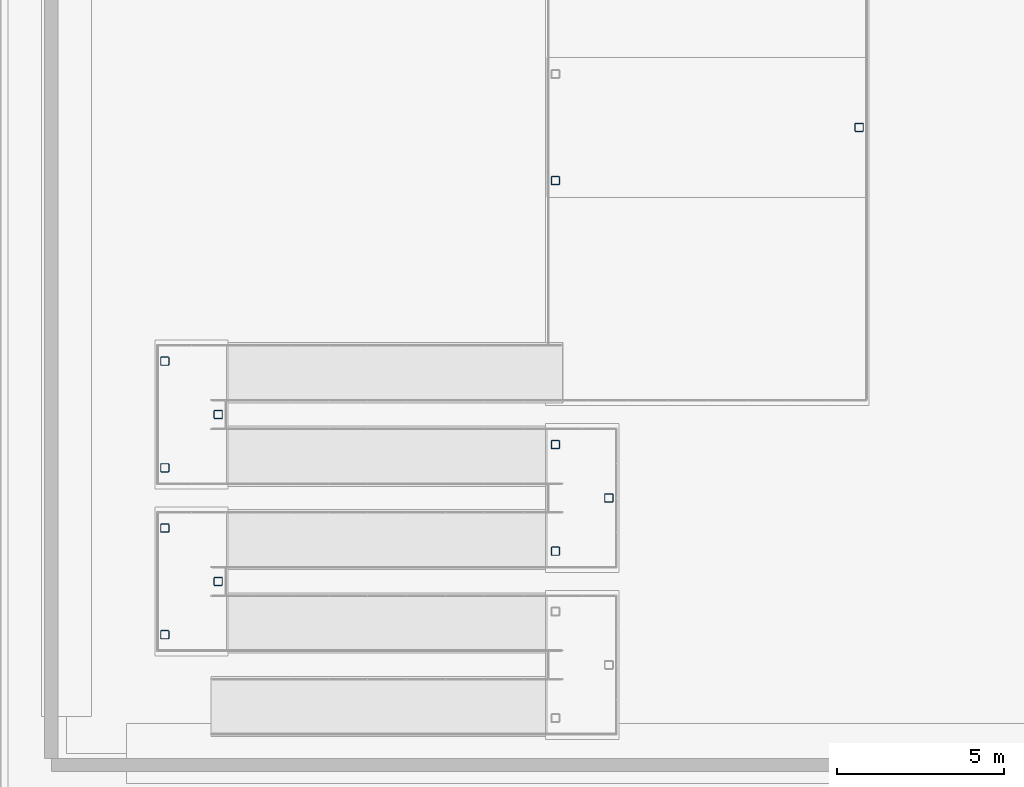
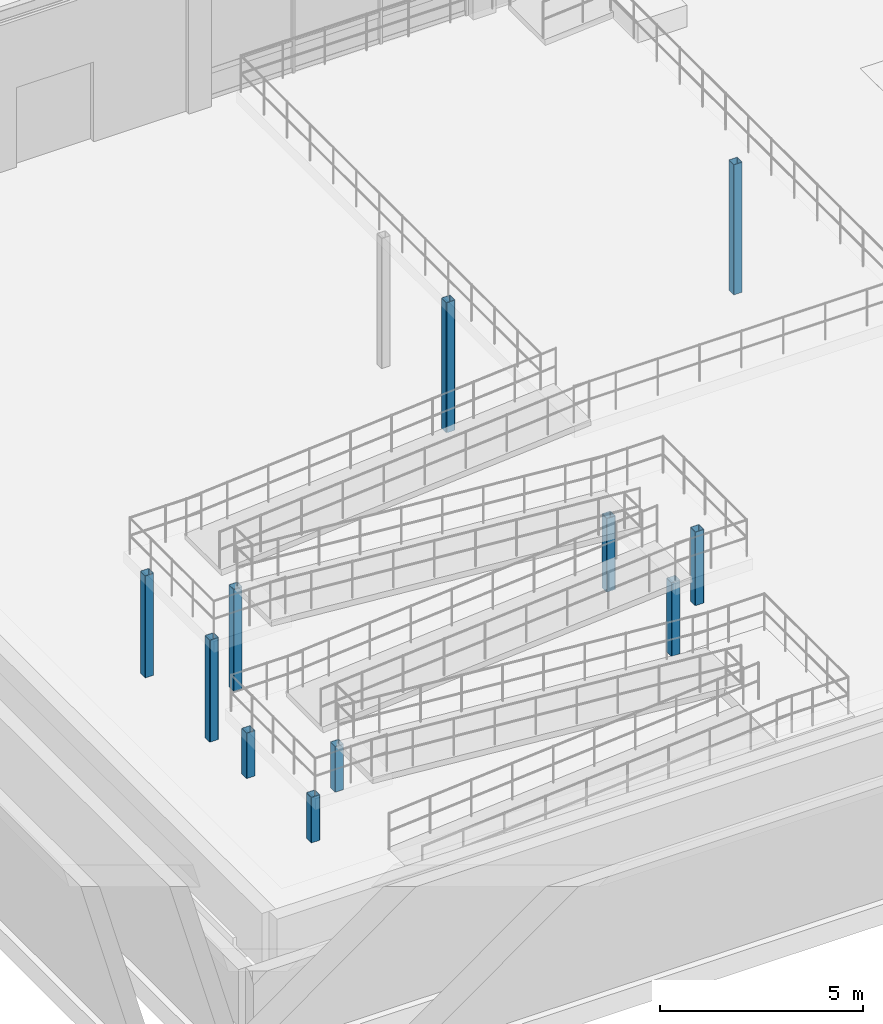
# One storey, part 11 of 67: 11 columns.
"""IFC4 building model written with IfcOpenShell, lengths in metres."""

from ifc_helpers import new_model, si_unit, direction, frame, origin, origin_2d, place, context, subcontext, project, spatial, hollow_rectangle, extrude, material, material_profile, profile_set, type_object, element, save


model = new_model("IFC4")

# Units and contexts
model_context = context("Model", 3, precision=1e-05, world=origin(), true_north=direction((0.0, 1.0)))
body_context = subcontext(model_context, "Body", "Model", "MODEL_VIEW")
ifc_project = project(units=[si_unit("LENGTHUNIT", "METRE"), si_unit("AREAUNIT", "SQUARE_METRE"), si_unit("VOLUMEUNIT", "CUBIC_METRE"), si_unit("PLANEANGLEUNIT", "RADIAN"), si_unit("MASSUNIT", "GRAM", prefix="KILO")], contexts=[model_context])

# Site, building, storey
site_placement = place(None, origin())
site = spatial("IfcSite", under=ifc_project, at=site_placement, CompositionType="ELEMENT")
building_placement = place(site_placement, origin())
building = spatial("IfcBuilding", under=site, at=building_placement, Name="Vaudrelin Polytechnic", CompositionType="ELEMENT")
storey_placement = place(building_placement, frame((0.0, 0.0, -5.10009765625)))
storey = spatial("IfcBuildingStorey", under=building, at=storey_placement, Name="B1", CompositionType="ELEMENT", Elevation=-5.10009765625)

# Columns
ifc_material = material(Name="Steel CSA G40.21 350W", Category="steel")
ifc_material_profile = material_profile(ifc_material, hollow_rectangle(XDim=0.25390625, YDim=0.25390625, WallThickness=0.0126953125, InnerFilletRadius=0.0126953125, OuterFilletRadius=0.025390625, at=origin_2d()), Name="HSS254x254x12.7")
ifc_profile_set = profile_set([ifc_material_profile], Name="Steel CSA G40.21 350W")
column_type = type_object("IfcColumnType", Name="COL-C-HSS254", PredefinedType="COLUMN", material=ifc_profile_set)
for number, where, z_axis, x_axis, name in (
    (1, (2.949951171875, 3.553955078125, 0.0), (0.0, 0.0, 1.0), (1.0, 0.0, 0.0), "Forecourt ramp support pier 2.1"),
    (2, (4.550048828125, 5.14990234375, 0.0), (0.0, 0.0, 1.0), (1.0, 0.0, 0.0), "Forecourt ramp support pier 2.2"),
    (3, (2.949951171875, 6.74609375, 0.0), (0.0, 0.0, 1.0), (1.0, 0.0, 0.0), "Forecourt ramp support pier 2.3"),
):
    element("IfcColumn", number, at=place(storey_placement, frame(where, z_axis=z_axis, x_axis=x_axis)), inside=storey, type_object=column_type, Name=name, PredefinedType="COLUMN", context=body_context, shape_type="SweptSolid", body=[
        extrude(hollow_rectangle(XDim=0.25390625, YDim=0.25390625, WallThickness=0.0126953125, InnerFilletRadius=0.0126953125, OuterFilletRadius=0.025390625, at=origin_2d()), origin(), (0.0, 0.0, 1.0), 1.364990234375),
    ])
for number, where, z_axis, x_axis, name in (
    (4, (14.64990234375, 6.053955078125, 0.0), (0.0, 0.0, 1.0), (1.0, 0.0, 0.0), "Forecourt ramp support pier 3.1"),
    (5, (16.25, 7.64990234375, 0.0), (0.0, 0.0, 1.0), (1.0, 0.0, 0.0), "Forecourt ramp support pier 3.2"),
    (6, (14.64990234375, 9.24609375, 0.0), (0.0, 0.0, 1.0), (1.0, 0.0, 0.0), "Forecourt ramp support pier 3.3"),
):
    element("IfcColumn", number, at=place(storey_placement, frame(where, z_axis=z_axis, x_axis=x_axis)), inside=storey, type_object=column_type, Name=name, PredefinedType="COLUMN", context=body_context, shape_type="SweptSolid", body=[
        extrude(hollow_rectangle(XDim=0.25390625, YDim=0.25390625, WallThickness=0.0126953125, InnerFilletRadius=0.0126953125, OuterFilletRadius=0.025390625, at=origin_2d()), origin(), (0.0, 0.0, 1.0), 2.215087890625),
    ])
for number, where, z_axis, x_axis, name in (
    (7, (2.949951171875, 8.553955078125, 0.0), (0.0, 0.0, 1.0), (1.0, 0.0, 0.0), "Forecourt ramp support pier 4.1"),
    (8, (4.550048828125, 10.14990234375, 0.0), (0.0, 0.0, 1.0), (1.0, 0.0, 0.0), "Forecourt ramp support pier 4.2"),
    (9, (2.949951171875, 11.74609375, 0.0), (0.0, 0.0, 1.0), (1.0, 0.0, 0.0), "Forecourt ramp support pier 4.3"),
):
    element("IfcColumn", number, at=place(storey_placement, frame(where, z_axis=z_axis, x_axis=x_axis)), inside=storey, type_object=column_type, Name=name, PredefinedType="COLUMN", context=body_context, shape_type="SweptSolid", body=[
        extrude(hollow_rectangle(XDim=0.25390625, YDim=0.25390625, WallThickness=0.0126953125, InnerFilletRadius=0.0126953125, OuterFilletRadius=0.025390625, at=origin_2d()), origin(), (0.0, 0.0, 1.0), 3.065185546875),
    ])
for number, where, z_axis, x_axis, name in (
    (10, (14.64990234375, 17.154052734375, 0.0), (0.0, 0.0, 1.0), (1.0, 0.0, 0.0), "Forecourt ramp support pier 5.1"),
    (11, (23.75, 18.75, 0.0), (0.0, 0.0, 1.0), (1.0, 0.0, 0.0), "Forecourt ramp support pier 5.2"),
):
    element("IfcColumn", number, at=place(storey_placement, frame(where, z_axis=z_axis, x_axis=x_axis)), inside=storey, type_object=column_type, Name=name, PredefinedType="COLUMN", context=body_context, shape_type="SweptSolid", body=[
        extrude(hollow_rectangle(XDim=0.25390625, YDim=0.25390625, WallThickness=0.0126953125, InnerFilletRadius=0.0126953125, OuterFilletRadius=0.025390625, at=origin_2d()), origin(), (0.0, 0.0, 1.0), 3.9150390625),
    ])

save(model, "model.ifc")
